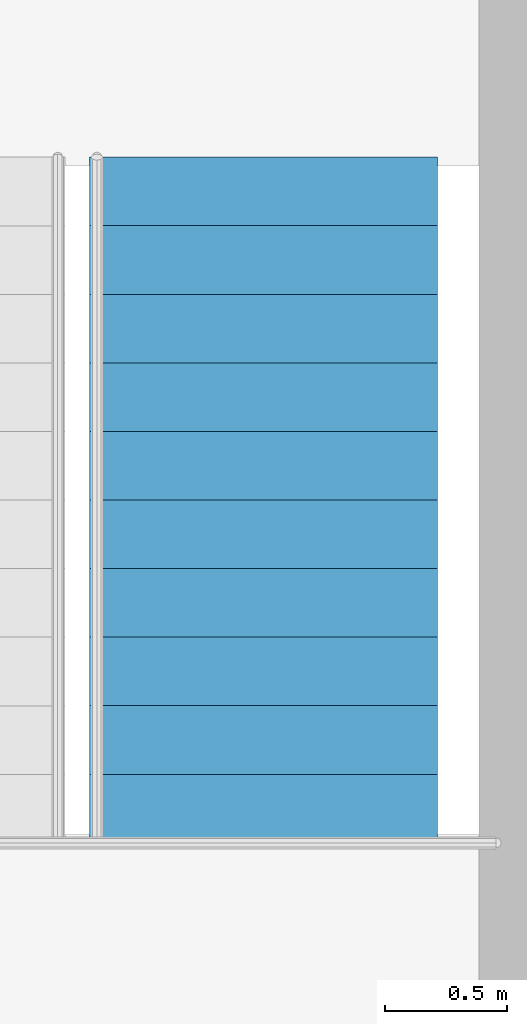
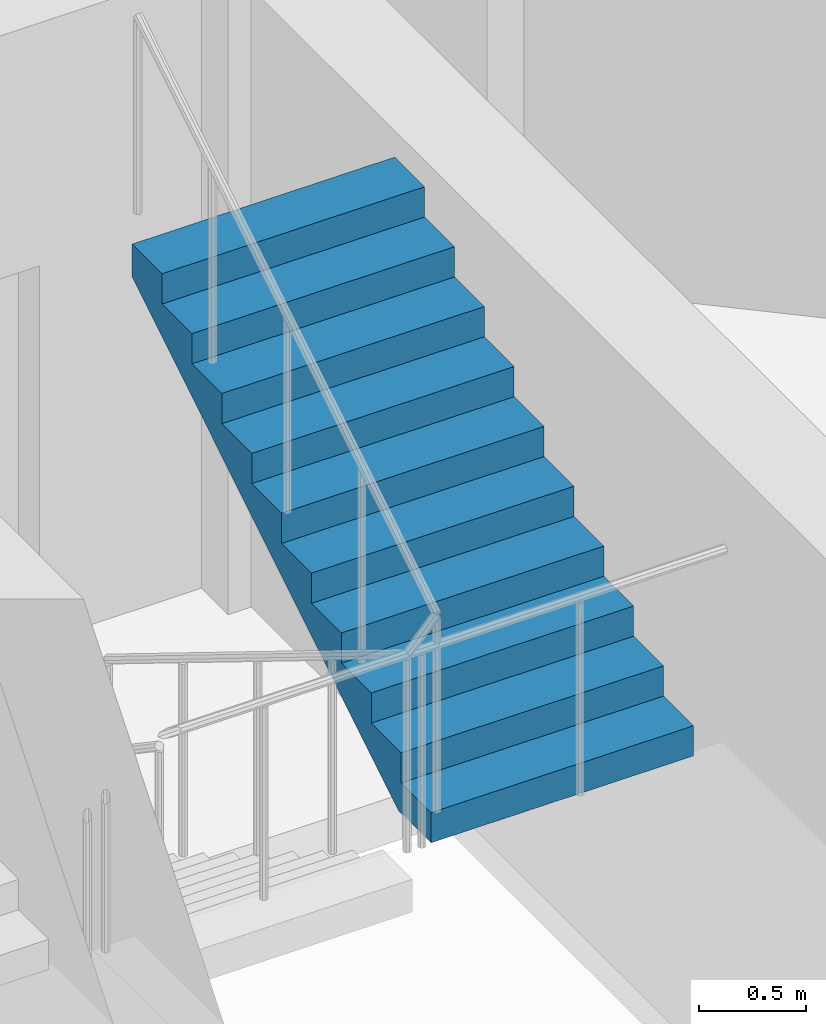
# One storey, part 23 of 24: 1 stair flight, 1 element without a shape of its own.
"""IFC4 building model written with IfcOpenShell, lengths in metres."""

from ifc_helpers import new_model, si_unit, direction, frame, origin, place, context, subcontext, project, spatial, polyline, outline, extrude, material, type_object, element, aggregate, save


model = new_model("IFC4")

# Units and contexts
model_context = context("Model", 3, precision=1e-05, world=origin(), true_north=direction((0.0, 1.0)))
body_context = subcontext(model_context, "Body", "Model", "MODEL_VIEW")
ifc_project = project(units=[si_unit("LENGTHUNIT", "METRE"), si_unit("AREAUNIT", "SQUARE_METRE"), si_unit("VOLUMEUNIT", "CUBIC_METRE"), si_unit("PLANEANGLEUNIT", "RADIAN"), si_unit("MASSUNIT", "GRAM", prefix="KILO")], contexts=[model_context])

# Site, building, storey
site_placement = place(None, origin())
site = spatial("IfcSite", under=ifc_project, at=site_placement, CompositionType="ELEMENT")
building_placement = place(site_placement, origin())
building = spatial("IfcBuilding", under=site, at=building_placement, Name="Nuhasar Tower", CompositionType="ELEMENT")
storey_placement = place(building_placement, frame((0.0, 0.0, 278.39990234375)))
storey = spatial("IfcBuildingStorey", under=building, at=storey_placement, Name="L69", CompositionType="ELEMENT", Elevation=278.39990234375)

# Stair, stair flight
ifc_material = material(Name="Concrete C45/55", Category="concrete")
stair_type = type_object("IfcStairType", Name="STR-ST-02-2F-22R-1727", PredefinedType="HALF_TURN_STAIR", material=ifc_material)
stair_placement = place(storey_placement, origin())
stair = element("IfcStair", 1, at=stair_placement, inside=storey, type_object=stair_type, Name="L69 Exit Stair ST-02", PredefinedType="HALF_TURN_STAIR")
stair_flight_type = type_object("IfcStairFlightType", Name="SFL-ST-02-11R-1727", PredefinedType="STRAIGHT", material=ifc_material)
stair_flight_placement = place(storey_placement, frame((43.169921875, 32.485107421875, 1.900146484375), z_axis=(0.0, 0.0, 1.0), x_axis=(0.0, 1.0, 0.0)))
stair_flight = element("IfcStairFlight", 2, at=stair_flight_placement, type_object=stair_flight_type, Name="ST-02 flight 2", NumberOfRisers=11, NumberOfTreads=10, PredefinedType="STRAIGHT", RiserHeight=0.172727, TreadLength=0.28, context=body_context, shape_type="SweptSolid", body=[
    extrude(outline(polyline([(0.0, 0.0), (0.0, 0.172607421875), (0.280029296875, 0.172607421875), (0.280029296875, 0.345458984375), (0.56005859375, 0.345458984375), (0.56005859375, 0.51806640625), (0.840087890625, 0.51806640625), (0.840087890625, 0.69091796875), (1.1201171875, 0.69091796875), (1.1201171875, 0.863525390625), (1.39990234375, 0.863525390625), (1.39990234375, 1.036376953125), (1.679931640625, 1.036376953125), (1.679931640625, 1.208984375), (1.9599609375, 1.208984375), (1.9599609375, 1.3818359375), (2.239990234375, 1.3818359375), (2.239990234375, 1.554443359375), (2.52001953125, 1.554443359375), (2.52001953125, 1.727294921875), (2.800048828125, 1.727294921875), (2.800048828125, 1.89990234375), (2.800048828125, 1.539306640625), (0.3046875, 0.0), (0.0, 0.0)])), frame((0.0, 0.7099609375, 0.0), z_axis=(0.0, -1.0, 0.0), x_axis=(1.0, 0.0, 0.0)), (0.0, 0.0, 1.0), 1.419921875),
])
aggregate(stair, [stair_flight])

save(model, "model.ifc")
